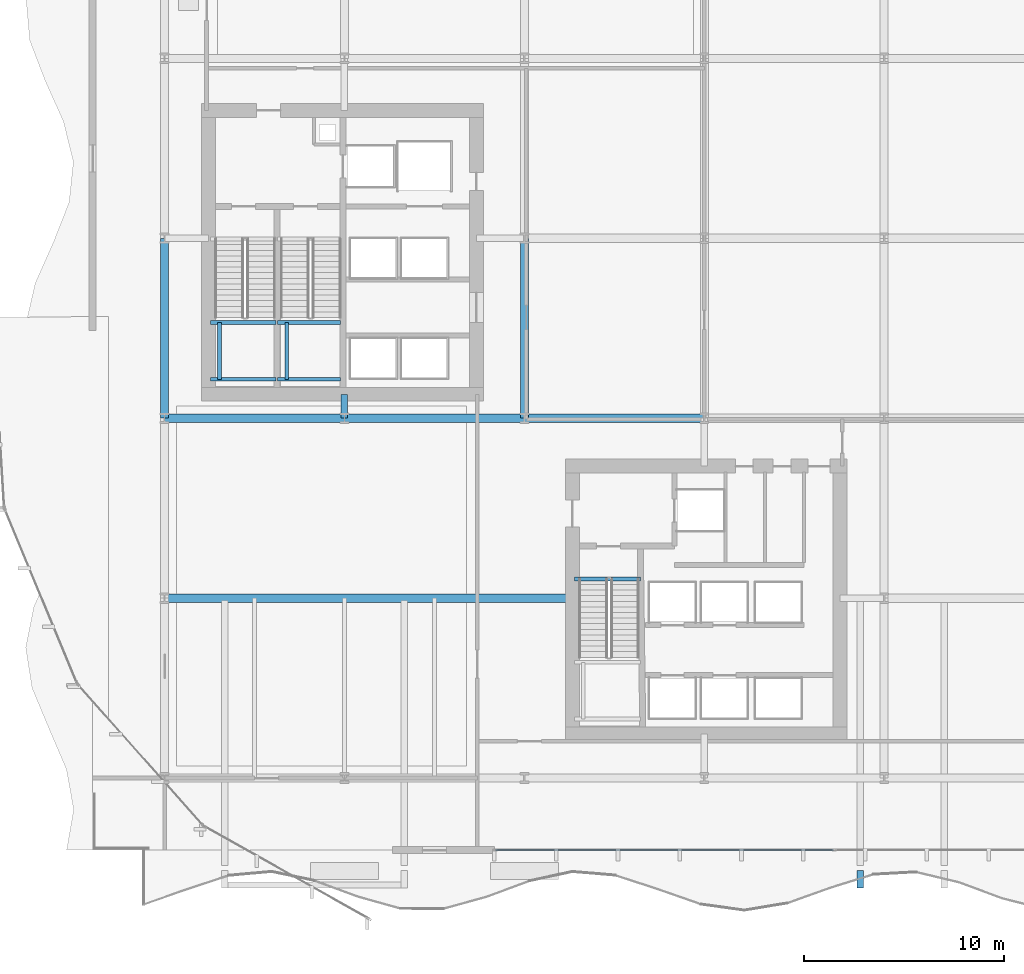
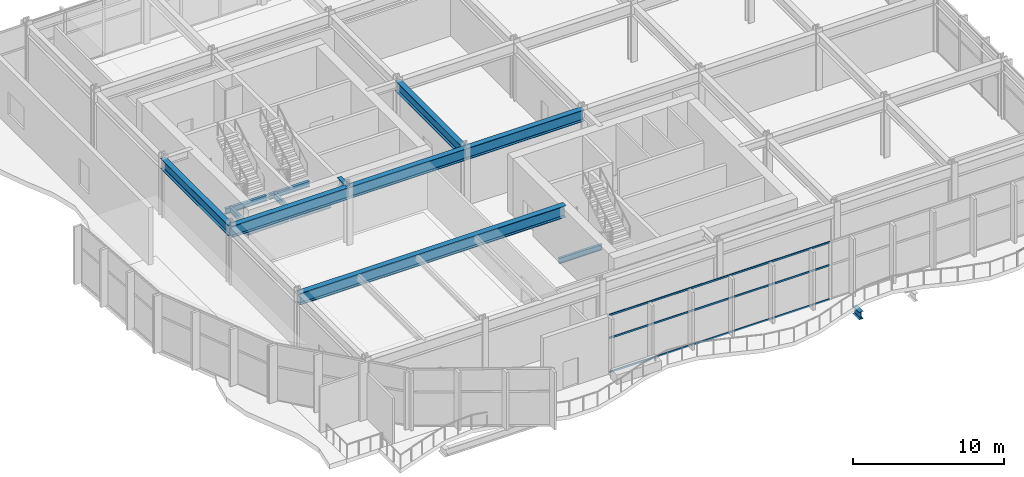
# One storey, part 6 of 28: 15 beams, 3 members, 1 element without a shape of its own.
"""IFC4 building model written with IfcOpenShell, lengths in metres."""

import ifcopenshell
import ifcopenshell.guid

model = None  # the IFC model being written
_history = None  # IfcOwnerHistory: only IFC2X3 demands one
_inside = {}  # id of a spatial element -> (the spatial element, [elements in it])
_under = {}  # id of a project, library or spatial element -> (it, [spatial elements below it])
_declared = {}  # id of a project -> (the project, [libraries it declares])
_typed = {}  # id of a type object -> (the type object, [elements of that type])
_made_of = {}  # id of a material, layer set ... -> (it, [elements and type objects made of it])


def new_model(schema):
    """Start an empty IFC model of exactly this schema.

    Asked for "IFC4X3", IfcOpenShell would pick the latest addendum, in which some entities
    have other attributes; the version numbers below select the first issue.
    IFC2X3 requires an IfcOwnerHistory on every rooted entity: one is made here for all.
    """
    global model, _history
    if schema == "IFC4X3":
        model = ifcopenshell.file(schema_version=(4, 3, 0, 0))
    else:
        model = ifcopenshell.file(schema=schema)
    _inside.clear()
    _under.clear()
    _declared.clear()
    _typed.clear()
    _made_of.clear()
    _history = None
    if model.schema == "IFC2X3":
        org = make("IfcOrganization", Name="unknown")
        user = make(
            "IfcPersonAndOrganization",
            ThePerson=make("IfcPerson", FamilyName="unknown"),
            TheOrganization=org,
        )
        app = make(
            "IfcApplication",
            ApplicationDeveloper=org,
            Version="unknown",
            ApplicationFullName="unknown",
            ApplicationIdentifier="unknown",
        )
        _history = make(
            "IfcOwnerHistory",
            OwningUser=user,
            OwningApplication=app,
            ChangeAction="ADDED",
            CreationDate=0,
        )
    return model


def make(cls, **values):
    """One entity of the class cls with the attributes given. An attribute that is None is left unset."""
    return model.create_entity(
        cls, **{name: value for name, value in values.items() if value is not None}
    )


def rooted(cls, **values):
    """An entity with a GlobalId (a new one), such as an element, a storey or a relation."""
    return make(cls, GlobalId=ifcopenshell.guid.new(), OwnerHistory=_history, **values)


def si_unit(unit_type, name, prefix=None):
    """IfcSIUnit, for example si_unit("LENGTHUNIT", "METRE", prefix="MILLI")."""
    return make("IfcSIUnit", UnitType=unit_type, Prefix=prefix, Name=name)


def assignment(units):
    """IfcUnitAssignment: the units of a project."""
    return None if units is None else make("IfcUnitAssignment", Units=units)


def point(xyz):
    """IfcCartesianPoint."""
    return None if xyz is None else make("IfcCartesianPoint", Coordinates=xyz)


def direction(xyz):
    """IfcDirection."""
    return None if xyz is None else make("IfcDirection", DirectionRatios=xyz)


def frame(location, z_axis=None, x_axis=None):
    """IfcAxis2Placement3D, a coordinate frame: its origin and axes. An axis left out is left unset."""
    return make(
        "IfcAxis2Placement3D",
        Location=point(location),
        Axis=direction(z_axis),
        RefDirection=direction(x_axis),
    )


def frame_2d(location, x_axis=None):
    """IfcAxis2Placement2D, a coordinate frame in the plane: its origin and x axis."""
    return make(
        "IfcAxis2Placement2D", Location=point(location), RefDirection=direction(x_axis)
    )


def origin():
    """The frame at (0, 0, 0) with its axes left unset."""
    return frame((0.0, 0.0, 0.0))


def origin_2d():
    """The frame at (0, 0) in the plane with its x axis left unset."""
    return frame_2d((0.0, 0.0))


def place(relative_to, where):
    """IfcLocalPlacement: puts the frame where relative to a parent placement (None: the world)."""
    return make(
        "IfcLocalPlacement", PlacementRelTo=relative_to, RelativePlacement=where
    )


def context(
    kind, dimensions, precision=None, world=None, true_north=None, identifier=None
):
    """IfcGeometricRepresentationContext, for example the 3D "Model" context."""
    return make(
        "IfcGeometricRepresentationContext",
        ContextIdentifier=identifier,
        ContextType=kind,
        CoordinateSpaceDimension=dimensions,
        Precision=precision,
        WorldCoordinateSystem=world,
        TrueNorth=true_north,
    )


def subcontext(parent, identifier, kind, view, scale=None):
    """IfcGeometricRepresentationSubContext, for example "Body" below "Model"."""
    return make(
        "IfcGeometricRepresentationSubContext",
        ContextIdentifier=identifier,
        ContextType=kind,
        ParentContext=parent,
        TargetScale=scale,
        TargetView=view,
    )


def project(units=None, contexts=None):
    """IfcProject with its units and contexts."""
    return rooted(
        "IfcProject",
        Name="project",
        RepresentationContexts=contexts,
        UnitsInContext=assignment(units),
    )


def spatial(cls, under=None, at=None, **own):
    """A site, building, storey or space (cls), placed at a placement, below another one or the project."""
    s = rooted(cls, ObjectPlacement=at, **own)
    if under is not None:
        _under.setdefault(under.id(), (under, []))[1].append(s)
    return s


def profile(cls, at=None, kind="AREA", **sizes):
    """A parametric profile (cls). Its sizes go by their IFC names, for example OverallWidth=200.0."""
    return make(cls, ProfileType=kind, Position=at, **sizes)


def hollow_rectangle(**sizes):
    """IfcRectangleHollowProfileDef."""
    return profile("IfcRectangleHollowProfileDef", **sizes)


def i_section(**sizes):
    """IfcIShapeProfileDef."""
    return profile("IfcIShapeProfileDef", **sizes)


def extrude(swept, where, along, depth):
    """IfcExtrudedAreaSolid: the profile swept, set in the frame where, extruded along a direction by depth."""
    return make(
        "IfcExtrudedAreaSolid",
        SweptArea=swept,
        Position=where,
        ExtrudedDirection=direction(along),
        Depth=depth,
    )


def shape(context_of_items, identifier, shape_type, items):
    """IfcShapeRepresentation: the items that make up one representation, for example the "Body"."""
    return make(
        "IfcShapeRepresentation",
        ContextOfItems=context_of_items,
        RepresentationIdentifier=identifier,
        RepresentationType=shape_type,
        Items=items,
    )


def material(Name=None, Category=None):
    """IfcMaterial."""
    return make("IfcMaterial", Name=Name, Category=Category)


def layer(
    of_material, thickness, ventilated=None, Name=None, Category=None, Priority=None
):
    """IfcMaterialLayer: one layer of a wall or slab, of a material (None: an air gap)."""
    return make(
        "IfcMaterialLayer",
        Material=of_material,
        LayerThickness=thickness,
        IsVentilated=ventilated,
        Name=Name,
        Category=Category,
        Priority=Priority,
    )


def layer_set(layers, Name=None):
    """IfcMaterialLayerSet."""
    return make("IfcMaterialLayerSet", MaterialLayers=layers, LayerSetName=Name)


def material_profile(
    of_material, cross_section, Name=None, Category=None, Priority=None
):
    """IfcMaterialProfile: a cross section and its material."""
    return make(
        "IfcMaterialProfile",
        Name=Name,
        Material=of_material,
        Profile=cross_section,
        Priority=Priority,
        Category=Category,
    )


def profile_set(profiles, Name=None, composite=None):
    """IfcMaterialProfileSet."""
    return make(
        "IfcMaterialProfileSet",
        Name=Name,
        MaterialProfiles=profiles,
        CompositeProfile=composite,
    )


def made_of(thing, what):
    """Note that an element or type object is made of a material, layer set ...; save() writes the relation."""
    if what is not None:
        _made_of.setdefault(what.id(), (what, []))[1].append(thing)
    return thing


def type_object(cls, material=None, **own):
    """A type object (cls), such as IfcWallType, which elements share."""
    return made_of(rooted(cls, **own), material)


def element(
    cls,
    number,
    at=None,
    inside=None,
    cuts=None,
    type_object=None,
    material=None,
    context=None,
    identifier="Body",
    shape_type=None,
    held_by="IfcProductDefinitionShape",
    body=None,
    shapes=None,
    **own,
):
    """One element of the class cls, such as IfcWall. Its Tag is "e" and its number.

    at: its placement. inside: the storey or other place that contains it. cuts: it is an
    opening in that element (IfcRelVoidsElement). A single representation is given by context,
    identifier, shape_type and body (its items); several are given by shapes. held_by: the class
    of the entity that holds the representations. save() writes the other relations.
    """
    e = rooted(cls, Tag="e%d" % number, ObjectPlacement=at, **own)
    if body is not None:
        shapes = [shape(context, identifier, shape_type, body)]
    if shapes is not None:
        e.Representation = make(held_by, Representations=shapes)
    if inside is not None:
        _inside.setdefault(inside.id(), (inside, []))[1].append(e)
    if cuts is not None:
        rooted(
            "IfcRelVoidsElement", RelatingBuildingElement=cuts, RelatedOpeningElement=e
        )
    if type_object is not None:
        _typed.setdefault(type_object.id(), (type_object, []))[1].append(e)
    return made_of(e, material)


def aggregate(whole, parts):
    """IfcRelAggregates: a whole, such as a stair, and the parts it consists of."""
    return rooted("IfcRelAggregates", RelatingObject=whole, RelatedObjects=parts)


def save(model, path):
    """Write the relations noted so far, then the file.

    IfcRelAggregates (storeys below a building ...), IfcRelContainedInSpatialStructure (elements
    in a storey), IfcRelDefinesByType, IfcRelAssociatesMaterial and IfcRelDeclares: one each for
    every whole, place, type object, material and project.
    """
    for whole, parts in _under.values():
        aggregate(whole, parts)
    for where, things in _inside.values():
        rooted(
            "IfcRelContainedInSpatialStructure",
            RelatedElements=things,
            RelatingStructure=where,
        )
    for kind, things in _typed.values():
        rooted("IfcRelDefinesByType", RelatedObjects=things, RelatingType=kind)
    for what, things in _made_of.values():
        rooted("IfcRelAssociatesMaterial", RelatedObjects=things, RelatingMaterial=what)
    for by, libraries in _declared.values():
        rooted("IfcRelDeclares", RelatingContext=by, RelatedDefinitions=libraries)
    model.write(path)


model = new_model("IFC4")

# Units and contexts
model_context = context("Model", 3, precision=1e-05, world=origin(), true_north=direction((0.0, 1.0)))
body_context = subcontext(model_context, "Body", "Model", "MODEL_VIEW")
ifc_project = project(units=[si_unit("LENGTHUNIT", "METRE"), si_unit("AREAUNIT", "SQUARE_METRE"), si_unit("VOLUMEUNIT", "CUBIC_METRE"), si_unit("PLANEANGLEUNIT", "RADIAN"), si_unit("MASSUNIT", "GRAM", prefix="KILO")], contexts=[model_context])

# Site, building, storey
site_placement = place(None, origin())
site = spatial("IfcSite", under=ifc_project, at=site_placement, CompositionType="ELEMENT")
building_placement = place(site_placement, origin())
building = spatial("IfcBuilding", under=site, at=building_placement, Name="Solvaryn Broadcast Tower", CompositionType="ELEMENT")
storey_placement = place(building_placement, frame((0.0, 0.0, 16.199951171875)))
storey = spatial("IfcBuildingStorey", under=building, at=storey_placement, Name="L03", CompositionType="ELEMENT", Elevation=16.199951171875)

# Beams
ifc_material_1 = material(Name="Steel ASTM A992 Grade 50", Category="steel")
ifc_material_profile_1 = material_profile(ifc_material_1, i_section(OverallWidth=0.323974609375, OverallDepth=0.611083984375, WebThickness=0.0126953125, FlangeThickness=0.01904296875, FilletRadius=0.014892578125, at=origin_2d()))
ifc_profile_set_1 = profile_set([ifc_material_profile_1], Name="Steel ASTM A992 Grade 50")
beam_type_1 = type_object("IfcBeamType", Name="BM-B1-W24X104", PredefinedType="BEAM", material=ifc_profile_set_1)
beam_1_placement = place(storey_placement, frame((18.0, 27.0, 4.37451171875), z_axis=(0.0, 1.0, 0.0), x_axis=(-1.0, 0.0, 0.0)))
element("IfcBeam", 1, at=beam_1_placement, inside=storey, type_object=beam_type_1, Name="L03 Core Tie Beam CTW4", PredefinedType="BEAM", context=body_context, shape_type="SweptSolid", body=[
    extrude(i_section(OverallWidth=0.323974609375, OverallDepth=0.611083984375, WebThickness=0.0126953125, FlangeThickness=0.01904296875, FilletRadius=0.014892578125, at=origin_2d()), origin(), (0.0, 0.0, 1.0), 1.199951171875),
])
ifc_material_2 = material(Name="Steel ASTM A992 Grade 50", Category="steel")
ifc_material_profile_2 = material_profile(ifc_material_2, i_section(OverallWidth=0.18994140625, OverallDepth=0.45703125, WebThickness=0.009033203125, FlangeThickness=0.014404296875, FilletRadius=0.011962890625, at=origin_2d()))
ifc_profile_set_2 = profile_set([ifc_material_profile_2], Name="Steel ASTM A992 Grade 50")
beam_type_2 = type_object("IfcBeamType", Name="BM-B4-W18X50", PredefinedType="BEAM", material=ifc_profile_set_2)
for number, where, z_axis, x_axis, name in (
    (2, (11.300048828125, 28.949951171875, 2.071533203125), (1.0, 0.0, 0.0), (0.0, 1.0, 0.0), "L03 ST1 Landing Support Beam 1A"),
    (3, (11.300048828125, 31.7900390625, 2.071533203125), (1.0, 0.0, 0.0), (0.0, 1.0, 0.0), "L03 ST1 Landing Support Beam 1B"),
):
    element("IfcBeam", number, at=place(storey_placement, frame(where, z_axis=z_axis, x_axis=x_axis)), inside=storey, type_object=beam_type_2, Name=name, PredefinedType="BEAM", context=body_context, shape_type="SweptSolid", body=[
        extrude(i_section(OverallWidth=0.18994140625, OverallDepth=0.45703125, WebThickness=0.009033203125, FlangeThickness=0.014404296875, FilletRadius=0.011962890625, at=origin_2d()), origin(), (0.0, 0.0, 1.0), 3.280029296875),
    ])
beam_2_placement = place(storey_placement, frame((11.75, 28.949951171875, 2.071533203125), z_axis=(0.0, 1.0, 0.0), x_axis=(-1.0, 0.0, 0.0)))
element("IfcBeam", 4, at=beam_2_placement, inside=storey, type_object=beam_type_2, Name="L03 ST1 Landing Cross Stringer 1C", PredefinedType="BEAM", context=body_context, shape_type="SweptSolid", body=[
    extrude(i_section(OverallWidth=0.18994140625, OverallDepth=0.45703125, WebThickness=0.009033203125, FlangeThickness=0.014404296875, FilletRadius=0.011962890625, at=origin_2d()), origin(), (0.0, 0.0, 1.0), 2.840087890625),
])
for number, where, z_axis, x_axis, name in (
    (5, (14.659912109375, 28.949951171875, 2.071533203125), (1.0, 0.0, 0.0), (0.0, 1.0, 0.0), "L03 ST2 Landing Support Beam 1A"),
    (6, (14.659912109375, 31.7900390625, 2.071533203125), (1.0, 0.0, 0.0), (0.0, 1.0, 0.0), "L03 ST2 Landing Support Beam 1B"),
):
    element("IfcBeam", number, at=place(storey_placement, frame(where, z_axis=z_axis, x_axis=x_axis)), inside=storey, type_object=beam_type_2, Name=name, PredefinedType="BEAM", context=body_context, shape_type="SweptSolid", body=[
        extrude(i_section(OverallWidth=0.18994140625, OverallDepth=0.45703125, WebThickness=0.009033203125, FlangeThickness=0.014404296875, FilletRadius=0.011962890625, at=origin_2d()), origin(), (0.0, 0.0, 1.0), 3.14013671875),
    ])
beam_3_placement = place(storey_placement, frame((15.110107421875, 28.949951171875, 2.071533203125), z_axis=(0.0, 1.0, 0.0), x_axis=(-1.0, 0.0, 0.0)))
element("IfcBeam", 7, at=beam_3_placement, inside=storey, type_object=beam_type_2, Name="L03 ST2 Landing Cross Stringer 1C", PredefinedType="BEAM", context=body_context, shape_type="SweptSolid", body=[
    extrude(i_section(OverallWidth=0.18994140625, OverallDepth=0.45703125, WebThickness=0.009033203125, FlangeThickness=0.014404296875, FilletRadius=0.011962890625, at=origin_2d()), origin(), (0.0, 0.0, 1.0), 2.840087890625),
])
beam_4_placement = place(storey_placement, frame((29.5, 18.9599609375, -0.54833984375), z_axis=(1.0, 0.0, 0.0), x_axis=(0.0, 1.0, 0.0)))
element("IfcBeam", 8, at=beam_4_placement, inside=storey, type_object=beam_type_2, Name="L03 ST3 Stair Well Trimmer Beam", PredefinedType="BEAM", context=body_context, shape_type="SweptSolid", body=[
    extrude(i_section(OverallWidth=0.18994140625, OverallDepth=0.45703125, WebThickness=0.009033203125, FlangeThickness=0.014404296875, FilletRadius=0.011962890625, at=origin_2d()), origin(), (0.0, 0.0, 1.0), 3.320068359375),
])
ifc_material_3 = material(Name="Steel ASTM A992 Grade 50", Category="steel")
ifc_material_profile_3 = material_profile(ifc_material_3, i_section(OverallWidth=0.323974609375, OverallDepth=0.611083984375, WebThickness=0.0126953125, FlangeThickness=0.01904296875, FilletRadius=0.014892578125, at=origin_2d()))
ifc_profile_set_3 = profile_set([ifc_material_profile_3], Name="Steel ASTM A992 Grade 50")
beam_type_3 = type_object("IfcBeamType", Name="BM-CANT-TER", PredefinedType="BEAM", material=ifc_profile_set_3)
beam_5_placement = place(storey_placement, frame((43.800048828125, 4.375, -0.62548828125), z_axis=(0.0, -1.0, 0.0), x_axis=(1.0, 0.0, 0.0)))
element("IfcBeam", 9, at=beam_5_placement, inside=storey, type_object=beam_type_3, Name="L03 Terrace Cantilever Beam X43.8", PredefinedType="BEAM", context=body_context, shape_type="SweptSolid", body=[
    extrude(i_section(OverallWidth=0.323974609375, OverallDepth=0.611083984375, WebThickness=0.0126953125, FlangeThickness=0.01904296875, FilletRadius=0.014892578125, at=origin_2d()), origin(), (0.0, 0.0, 1.0), 0.875),
])
ifc_material_4 = material(Name="Steel ASTM A992 Grade 50", Category="steel")
ifc_material_profile_4 = material_profile(ifc_material_4, i_section(OverallWidth=0.423095703125, OverallDepth=0.947998046875, WebThickness=0.02392578125, FlangeThickness=0.042724609375, FilletRadius=0.02392578125, at=origin_2d()))
ifc_profile_set_4 = profile_set([ifc_material_profile_4], Name="Steel ASTM A992 Grade 50")
beam_type_4 = type_object("IfcBeamType", Name="BM-G1-W36X302", PredefinedType="BEAM", material=ifc_profile_set_4)
beam_6_placement = place(storey_placement, frame((9.0, 18.0, 4.2060546875), z_axis=(1.0, 0.0, 0.0), x_axis=(0.0, 1.0, 0.0)))
element("IfcBeam", 10, at=beam_6_placement, inside=storey, type_object=beam_type_4, Name="L03 Broadcast Studio Clear-Span Girder", PredefinedType="BEAM", context=body_context, shape_type="SweptSolid", body=[
    extrude(i_section(OverallWidth=0.423095703125, OverallDepth=0.947998046875, WebThickness=0.02392578125, FlangeThickness=0.042724609375, FilletRadius=0.02392578125, at=origin_2d()), origin(), (0.0, 0.0, 1.0), 20.39990234375),
])
ifc_material_5 = material(Name="Steel ASTM A992 Grade 50", Category="steel")
ifc_material_profile_5 = material_profile(ifc_material_5, i_section(OverallWidth=0.41796875, OverallDepth=0.927001953125, WebThickness=0.019287109375, FlangeThickness=0.031982421875, FilletRadius=0.02392578125, at=origin_2d()))
ifc_profile_set_5 = profile_set([ifc_material_profile_5], Name="Steel ASTM A992 Grade 50")
beam_type_5 = type_object("IfcBeamType", Name="BM-G2-W36X231", PredefinedType="BEAM", material=ifc_profile_set_5)
for number, where, z_axis, x_axis, name in (
    (11, (9.0, 27.0, 4.216552734375), (1.0, 0.0, 0.0), (0.0, 1.0, 0.0), "L03 Primary Beam X (9-18 @ Y=27)"),
    (12, (18.0, 27.0, 4.216552734375), (1.0, 0.0, 0.0), (0.0, 1.0, 0.0), "L03 Primary Beam X (18-27 @ Y=27)"),
    (13, (27.0, 27.0, 4.216552734375), (1.0, 0.0, 0.0), (0.0, 1.0, 0.0), "L03 Primary Beam X (27-36 @ Y=27)"),
):
    element("IfcBeam", number, at=place(storey_placement, frame(where, z_axis=z_axis, x_axis=x_axis)), inside=storey, type_object=beam_type_5, Name=name, PredefinedType="BEAM", context=body_context, shape_type="SweptSolid", body=[
        extrude(i_section(OverallWidth=0.41796875, OverallDepth=0.927001953125, WebThickness=0.019287109375, FlangeThickness=0.031982421875, FilletRadius=0.02392578125, at=origin_2d()), origin(), (0.0, 0.0, 1.0), 9.0),
    ])
ifc_material_6 = material(Name="Steel ASTM A992 Grade 50", Category="steel")
ifc_material_profile_6 = material_profile(ifc_material_6, i_section(OverallWidth=0.39990234375, OverallDepth=0.85498046875, WebThickness=0.018310546875, FlangeThickness=0.029296875, FilletRadius=0.02001953125, at=origin_2d()))
ifc_profile_set_6 = profile_set([ifc_material_profile_6], Name="Steel ASTM A992 Grade 50")
beam_type_6 = type_object("IfcBeamType", Name="BM-G3-W33X201", PredefinedType="BEAM", material=ifc_profile_set_6)
for number, where, z_axis, x_axis, name in (
    (14, (9.0, 27.0, 4.25244140625), (0.0, 1.0, 0.0), (-1.0, 0.0, 0.0), "L03 Primary Beam Y (27-36 @ X=9)"),
    (15, (27.0, 27.0, 4.25244140625), (0.0, 1.0, 0.0), (-1.0, 0.0, 0.0), "L03 Primary Beam Y (27-36 @ X=27)"),
):
    element("IfcBeam", number, at=place(storey_placement, frame(where, z_axis=z_axis, x_axis=x_axis)), inside=storey, type_object=beam_type_6, Name=name, PredefinedType="BEAM", context=body_context, shape_type="SweptSolid", body=[
        extrude(i_section(OverallWidth=0.39990234375, OverallDepth=0.85498046875, WebThickness=0.018310546875, FlangeThickness=0.029296875, FilletRadius=0.02001953125, at=origin_2d()), origin(), (0.0, 0.0, 1.0), 9.0),
    ])

# Curtain wall, members
ifc_material_7 = material(Name="Aluminium and Terracotta Unitised Curtain Wall", Category="masonry")
ifc_layer = layer(ifc_material_7, 0.219970703125)
ifc_layer_set = layer_set([ifc_layer], Name="CW-SYS1-PODIUM")
curtain_wall_type = type_object("IfcCurtainWallType", Name="CW-SYS1-PODIUM", PredefinedType="NOTDEFINED", material=ifc_layer_set)
curtain_wall_placement = place(storey_placement, origin())
curtain_wall = element("IfcCurtainWall", 16, at=curtain_wall_placement, inside=storey, type_object=curtain_wall_type, Name="L03 Podium Curtain Wall S1", PredefinedType="NOTDEFINED")
ifc_material_8 = material(Name="Anodised Aluminium 6063-T6", Category="aluminium")
ifc_material_profile_7 = material_profile(ifc_material_8, hollow_rectangle(XDim=0.06494140625, YDim=0.14990234375, WallThickness=0.00390625, InnerFilletRadius=0.00390625, OuterFilletRadius=0.008056640625, at=origin_2d()))
ifc_profile_set_7 = profile_set([ifc_material_profile_7], Name="Anodised Aluminium 6063-T6")
member_type = type_object("IfcMemberType", Name="CW-TRN-150", PredefinedType="USERDEFINED", material=ifc_profile_set_7)
member_1_placement = place(storey_placement, frame((42.469970703125, 5.39990234375, 0.030029296875), z_axis=(-1.0, 0.0, 0.0), x_axis=(0.0, -1.0, 0.0)))
member_1 = element("IfcMember", 17, at=member_1_placement, type_object=member_type, Name="CWS1 transom 2.1", ObjectType="TRANSOM", PredefinedType="USERDEFINED", context=body_context, shape_type="SweptSolid", body=[
    extrude(hollow_rectangle(XDim=0.06494140625, YDim=0.14990234375, WallThickness=0.00390625, InnerFilletRadius=0.00390625, OuterFilletRadius=0.008056640625, at=origin_2d()), origin(), (0.0, 0.0, 1.0), 16.909912109375),
])
member_2_placement = place(storey_placement, frame((42.469970703125, 5.39990234375, 2.800048828125), z_axis=(-1.0, 0.0, 0.0), x_axis=(0.0, -1.0, 0.0)))
member_2 = element("IfcMember", 18, at=member_2_placement, type_object=member_type, Name="CWS1 transom 2.2", ObjectType="TRANSOM", PredefinedType="USERDEFINED", context=body_context, shape_type="SweptSolid", body=[
    extrude(hollow_rectangle(XDim=0.06494140625, YDim=0.14990234375, WallThickness=0.00390625, InnerFilletRadius=0.00390625, OuterFilletRadius=0.008056640625, at=origin_2d()), origin(), (0.0, 0.0, 1.0), 16.909912109375),
])
member_3_placement = place(storey_placement, frame((42.469970703125, 5.39990234375, 4.650146484375), z_axis=(-1.0, 0.0, 0.0), x_axis=(0.0, -1.0, 0.0)))
member_3 = element("IfcMember", 19, at=member_3_placement, type_object=member_type, Name="CWS1 transom 2.3", ObjectType="TRANSOM", PredefinedType="USERDEFINED", context=body_context, shape_type="SweptSolid", body=[
    extrude(hollow_rectangle(XDim=0.06494140625, YDim=0.14990234375, WallThickness=0.00390625, InnerFilletRadius=0.00390625, OuterFilletRadius=0.008056640625, at=origin_2d()), origin(), (0.0, 0.0, 1.0), 16.909912109375),
])
aggregate(curtain_wall, [member_1, member_2, member_3])

save(model, "model.ifc")
